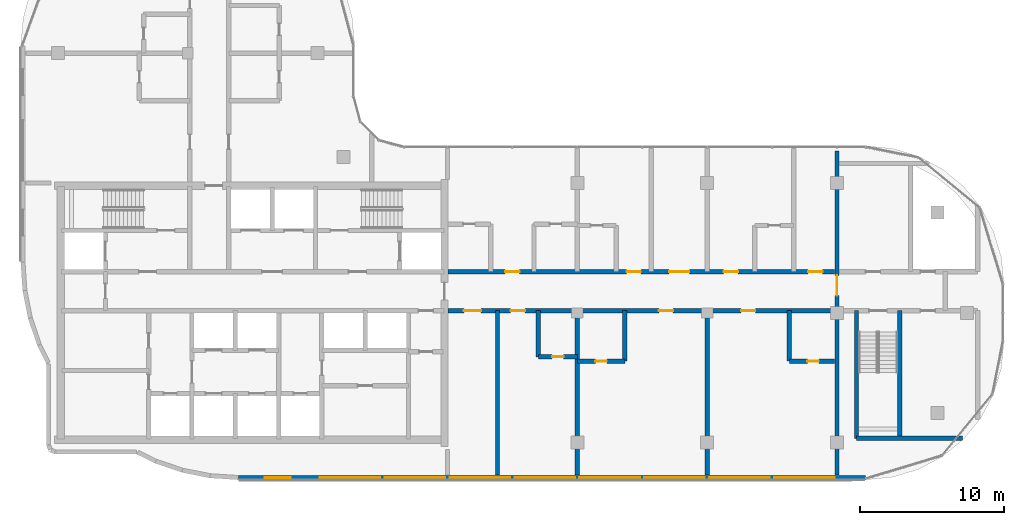
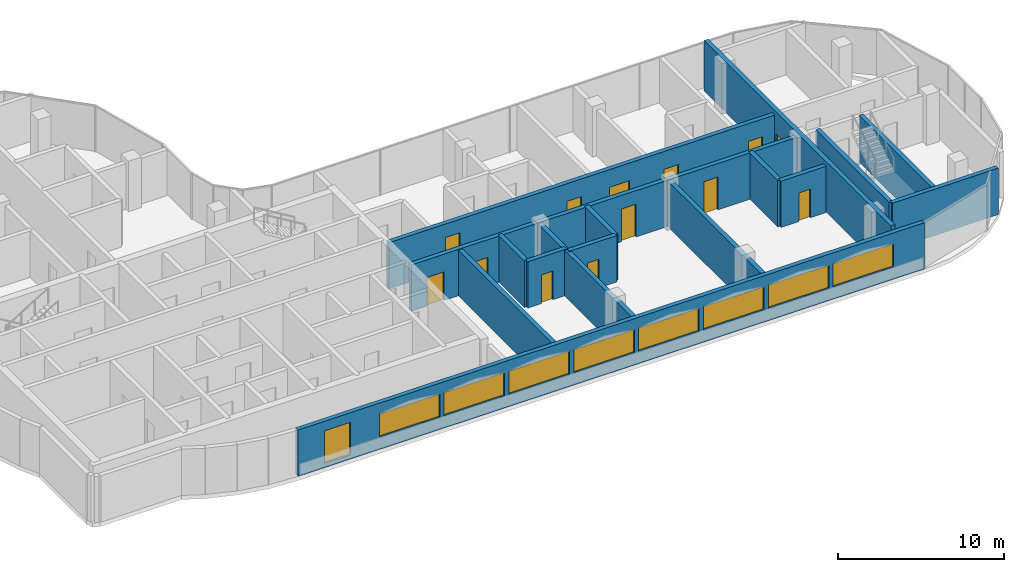
# One storey, part 11 of 18: 16 walls, 13 doors, 9 windows, 22 openings.
"""IFC4 building model written with IfcOpenShell, lengths in metres."""

import ifcopenshell
import ifcopenshell.guid

model = None  # the IFC model being written
_history = None  # IfcOwnerHistory: only IFC2X3 demands one
_inside = {}  # id of a spatial element -> (the spatial element, [elements in it])
_under = {}  # id of a project, library or spatial element -> (it, [spatial elements below it])
_declared = {}  # id of a project -> (the project, [libraries it declares])
_typed = {}  # id of a type object -> (the type object, [elements of that type])
_made_of = {}  # id of a material, layer set ... -> (it, [elements and type objects made of it])


def new_model(schema):
    """Start an empty IFC model of exactly this schema.

    Asked for "IFC4X3", IfcOpenShell would pick the latest addendum, in which some entities
    have other attributes; the version numbers below select the first issue.
    IFC2X3 requires an IfcOwnerHistory on every rooted entity: one is made here for all.
    """
    global model, _history
    if schema == "IFC4X3":
        model = ifcopenshell.file(schema_version=(4, 3, 0, 0))
    else:
        model = ifcopenshell.file(schema=schema)
    _inside.clear()
    _under.clear()
    _declared.clear()
    _typed.clear()
    _made_of.clear()
    _history = None
    if model.schema == "IFC2X3":
        org = make("IfcOrganization", Name="unknown")
        user = make(
            "IfcPersonAndOrganization",
            ThePerson=make("IfcPerson", FamilyName="unknown"),
            TheOrganization=org,
        )
        app = make(
            "IfcApplication",
            ApplicationDeveloper=org,
            Version="unknown",
            ApplicationFullName="unknown",
            ApplicationIdentifier="unknown",
        )
        _history = make(
            "IfcOwnerHistory",
            OwningUser=user,
            OwningApplication=app,
            ChangeAction="ADDED",
            CreationDate=0,
        )
    return model


def make(cls, **values):
    """One entity of the class cls with the attributes given. An attribute that is None is left unset."""
    return model.create_entity(
        cls, **{name: value for name, value in values.items() if value is not None}
    )


def rooted(cls, **values):
    """An entity with a GlobalId (a new one), such as an element, a storey or a relation."""
    return make(cls, GlobalId=ifcopenshell.guid.new(), OwnerHistory=_history, **values)


def si_unit(unit_type, name, prefix=None):
    """IfcSIUnit, for example si_unit("LENGTHUNIT", "METRE", prefix="MILLI")."""
    return make("IfcSIUnit", UnitType=unit_type, Prefix=prefix, Name=name)


def assignment(units):
    """IfcUnitAssignment: the units of a project."""
    return None if units is None else make("IfcUnitAssignment", Units=units)


def point(xyz):
    """IfcCartesianPoint."""
    return None if xyz is None else make("IfcCartesianPoint", Coordinates=xyz)


def direction(xyz):
    """IfcDirection."""
    return None if xyz is None else make("IfcDirection", DirectionRatios=xyz)


def frame(location, z_axis=None, x_axis=None):
    """IfcAxis2Placement3D, a coordinate frame: its origin and axes. An axis left out is left unset."""
    return make(
        "IfcAxis2Placement3D",
        Location=point(location),
        Axis=direction(z_axis),
        RefDirection=direction(x_axis),
    )


def frame_2d(location, x_axis=None):
    """IfcAxis2Placement2D, a coordinate frame in the plane: its origin and x axis."""
    return make(
        "IfcAxis2Placement2D", Location=point(location), RefDirection=direction(x_axis)
    )


def origin():
    """The frame at (0, 0, 0) with its axes left unset."""
    return frame((0.0, 0.0, 0.0))


def place(relative_to, where):
    """IfcLocalPlacement: puts the frame where relative to a parent placement (None: the world)."""
    return make(
        "IfcLocalPlacement", PlacementRelTo=relative_to, RelativePlacement=where
    )


def context(
    kind, dimensions, precision=None, world=None, true_north=None, identifier=None
):
    """IfcGeometricRepresentationContext, for example the 3D "Model" context."""
    return make(
        "IfcGeometricRepresentationContext",
        ContextIdentifier=identifier,
        ContextType=kind,
        CoordinateSpaceDimension=dimensions,
        Precision=precision,
        WorldCoordinateSystem=world,
        TrueNorth=true_north,
    )


def subcontext(parent, identifier, kind, view, scale=None):
    """IfcGeometricRepresentationSubContext, for example "Body" below "Model"."""
    return make(
        "IfcGeometricRepresentationSubContext",
        ContextIdentifier=identifier,
        ContextType=kind,
        ParentContext=parent,
        TargetScale=scale,
        TargetView=view,
    )


def project(units=None, contexts=None):
    """IfcProject with its units and contexts."""
    return rooted(
        "IfcProject",
        Name="project",
        RepresentationContexts=contexts,
        UnitsInContext=assignment(units),
    )


def spatial(cls, under=None, at=None, **own):
    """A site, building, storey or space (cls), placed at a placement, below another one or the project."""
    s = rooted(cls, ObjectPlacement=at, **own)
    if under is not None:
        _under.setdefault(under.id(), (under, []))[1].append(s)
    return s


def profile(cls, at=None, kind="AREA", **sizes):
    """A parametric profile (cls). Its sizes go by their IFC names, for example OverallWidth=200.0."""
    return make(cls, ProfileType=kind, Position=at, **sizes)


def rectangle(**sizes):
    """IfcRectangleProfileDef."""
    return profile("IfcRectangleProfileDef", **sizes)


def extrude(swept, where, along, depth):
    """IfcExtrudedAreaSolid: the profile swept, set in the frame where, extruded along a direction by depth."""
    return make(
        "IfcExtrudedAreaSolid",
        SweptArea=swept,
        Position=where,
        ExtrudedDirection=direction(along),
        Depth=depth,
    )


def shape(context_of_items, identifier, shape_type, items):
    """IfcShapeRepresentation: the items that make up one representation, for example the "Body"."""
    return make(
        "IfcShapeRepresentation",
        ContextOfItems=context_of_items,
        RepresentationIdentifier=identifier,
        RepresentationType=shape_type,
        Items=items,
    )


def material(Name=None, Category=None):
    """IfcMaterial."""
    return make("IfcMaterial", Name=Name, Category=Category)


def layer(
    of_material, thickness, ventilated=None, Name=None, Category=None, Priority=None
):
    """IfcMaterialLayer: one layer of a wall or slab, of a material (None: an air gap)."""
    return make(
        "IfcMaterialLayer",
        Material=of_material,
        LayerThickness=thickness,
        IsVentilated=ventilated,
        Name=Name,
        Category=Category,
        Priority=Priority,
    )


def layer_set(layers, Name=None):
    """IfcMaterialLayerSet."""
    return make("IfcMaterialLayerSet", MaterialLayers=layers, LayerSetName=Name)


def made_of(thing, what):
    """Note that an element or type object is made of a material, layer set ...; save() writes the relation."""
    if what is not None:
        _made_of.setdefault(what.id(), (what, []))[1].append(thing)
    return thing


def type_object(cls, material=None, **own):
    """A type object (cls), such as IfcWallType, which elements share."""
    return made_of(rooted(cls, **own), material)


def element(
    cls,
    number,
    at=None,
    inside=None,
    cuts=None,
    type_object=None,
    material=None,
    context=None,
    identifier="Body",
    shape_type=None,
    held_by="IfcProductDefinitionShape",
    body=None,
    shapes=None,
    **own,
):
    """One element of the class cls, such as IfcWall. Its Tag is "e" and its number.

    at: its placement. inside: the storey or other place that contains it. cuts: it is an
    opening in that element (IfcRelVoidsElement). A single representation is given by context,
    identifier, shape_type and body (its items); several are given by shapes. held_by: the class
    of the entity that holds the representations. save() writes the other relations.
    """
    e = rooted(cls, Tag="e%d" % number, ObjectPlacement=at, **own)
    if body is not None:
        shapes = [shape(context, identifier, shape_type, body)]
    if shapes is not None:
        e.Representation = make(held_by, Representations=shapes)
    if inside is not None:
        _inside.setdefault(inside.id(), (inside, []))[1].append(e)
    if cuts is not None:
        rooted(
            "IfcRelVoidsElement", RelatingBuildingElement=cuts, RelatedOpeningElement=e
        )
    if type_object is not None:
        _typed.setdefault(type_object.id(), (type_object, []))[1].append(e)
    return made_of(e, material)


def fill(opening, filler):
    """IfcRelFillsElement: the door or window that sits in an opening."""
    return rooted(
        "IfcRelFillsElement",
        RelatingOpeningElement=opening,
        RelatedBuildingElement=filler,
    )


def aggregate(whole, parts):
    """IfcRelAggregates: a whole, such as a stair, and the parts it consists of."""
    return rooted("IfcRelAggregates", RelatingObject=whole, RelatedObjects=parts)


def save(model, path):
    """Write the relations noted so far, then the file.

    IfcRelAggregates (storeys below a building ...), IfcRelContainedInSpatialStructure (elements
    in a storey), IfcRelDefinesByType, IfcRelAssociatesMaterial and IfcRelDeclares: one each for
    every whole, place, type object, material and project.
    """
    for whole, parts in _under.values():
        aggregate(whole, parts)
    for where, things in _inside.values():
        rooted(
            "IfcRelContainedInSpatialStructure",
            RelatedElements=things,
            RelatingStructure=where,
        )
    for kind, things in _typed.values():
        rooted("IfcRelDefinesByType", RelatedObjects=things, RelatingType=kind)
    for what, things in _made_of.values():
        rooted("IfcRelAssociatesMaterial", RelatedObjects=things, RelatingMaterial=what)
    for by, libraries in _declared.values():
        rooted("IfcRelDeclares", RelatingContext=by, RelatedDefinitions=libraries)
    model.write(path)


model = new_model("IFC4")

# Units and contexts
model_context = context("Model", 3, precision=1e-05, world=origin(), true_north=direction((0.0, 1.0)))
body_context = subcontext(model_context, "Body", "Model", "MODEL_VIEW")
ifc_project = project(units=[si_unit("LENGTHUNIT", "METRE"), si_unit("AREAUNIT", "SQUARE_METRE"), si_unit("VOLUMEUNIT", "CUBIC_METRE"), si_unit("PLANEANGLEUNIT", "RADIAN"), si_unit("MASSUNIT", "GRAM", prefix="KILO")], contexts=[model_context])

# Site, building, storey
site_placement = place(None, origin())
site = spatial("IfcSite", under=ifc_project, at=site_placement, CompositionType="ELEMENT")
building_placement = place(site_placement, origin())
building = spatial("IfcBuilding", under=site, at=building_placement, Name="Ogive Portal Towers", CompositionType="ELEMENT")
storey_placement = place(building_placement, frame((0.0, 0.0, 240.199951171875)))
storey = spatial("IfcBuildingStorey", under=building, at=storey_placement, Name="L60", CompositionType="ELEMENT", Elevation=240.199951171875)

# Wall, openings, windows
ifc_material_1 = material(Name="Limestone cladding on lightweight block wall", Category="masonry")
ifc_layer_1 = layer(ifc_material_1, 0.300048828125)
ifc_layer_set_1 = layer_set([ifc_layer_1], Name="EXTERNAL WALL 300 STONE")
wall_type_1 = type_object("IfcWallType", Name="EXTERNAL WALL 300 STONE", PredefinedType="SOLIDWALL", material=ifc_layer_set_1)
wall_1_placement = place(storey_placement, frame((44.009765625, 19.074951171875, 0.0), z_axis=(0.0, 0.0, 1.0), x_axis=(1.0, 0.0, 0.0)))
wall_1 = element("IfcWall", 1, at=wall_1_placement, inside=storey, type_object=wall_type_1, Name="A:L60:f08:r0:wall", PredefinedType="SOLIDWALL", context=body_context, shape_type="SweptSolid", body=[
    extrude(rectangle(XDim=43.478271484375, YDim=0.300048828125, at=frame_2d((21.7392578125, 0.0))), origin(), (0.0, 0.0, 1.0), 3.400146484375),
])
opening_1_placement = place(wall_1_placement, frame((1.844970703125, 0.0, 0.300048828125)))
opening_1 = element("IfcOpeningElement", 2, at=opening_1_placement, cuts=wall_1, Name="Opening WN10", PredefinedType="OPENING", context=body_context, shape_type="SweptSolid", body=[
    extrude(rectangle(XDim=1.800048828125, YDim=2.39990234375, at=frame_2d((0.89990234375, 1.199951171875))), frame((0.0, 0.16015625, 0.0), z_axis=(0.0, -1.0, 0.0), x_axis=(1.0, 0.0, 0.0)), (0.0, 0.0, 1.0), 0.320068359375),
])
opening_2_placement = place(wall_1_placement, frame((5.64013671875, 0.0, 0.89990234375)))
opening_2 = element("IfcOpeningElement", 3, at=opening_2_placement, cuts=wall_1, Name="Opening WN13", PredefinedType="OPENING", context=body_context, shape_type="SweptSolid", body=[
    extrude(rectangle(XDim=4.199951171875, YDim=1.699951171875, at=frame_2d((2.10009765625, 0.85009765625))), frame((0.0, 0.16015625, 0.0), z_axis=(0.0, -1.0, 0.0), x_axis=(1.0, 0.0, 0.0)), (0.0, 0.0, 1.0), 0.320068359375),
])
opening_3_placement = place(wall_1_placement, frame((10.14013671875, 0.0, 0.89990234375)))
opening_3 = element("IfcOpeningElement", 4, at=opening_3_placement, cuts=wall_1, Name="Opening WN13", PredefinedType="OPENING", context=body_context, shape_type="SweptSolid", body=[
    extrude(rectangle(XDim=4.199951171875, YDim=1.699951171875, at=frame_2d((2.10009765625, 0.85009765625))), frame((0.0, 0.16015625, 0.0), z_axis=(0.0, -1.0, 0.0), x_axis=(1.0, 0.0, 0.0)), (0.0, 0.0, 1.0), 0.320068359375),
])
opening_4_placement = place(wall_1_placement, frame((14.64013671875, 0.0, 0.89990234375)))
opening_4 = element("IfcOpeningElement", 5, at=opening_4_placement, cuts=wall_1, Name="Opening WN13", PredefinedType="OPENING", context=body_context, shape_type="SweptSolid", body=[
    extrude(rectangle(XDim=4.199951171875, YDim=1.699951171875, at=frame_2d((2.10009765625, 0.85009765625))), frame((0.0, 0.16015625, 0.0), z_axis=(0.0, -1.0, 0.0), x_axis=(1.0, 0.0, 0.0)), (0.0, 0.0, 1.0), 0.320068359375),
])
opening_5_placement = place(wall_1_placement, frame((19.14013671875, 0.0, 0.89990234375)))
opening_5 = element("IfcOpeningElement", 6, at=opening_5_placement, cuts=wall_1, Name="Opening WN13", PredefinedType="OPENING", context=body_context, shape_type="SweptSolid", body=[
    extrude(rectangle(XDim=4.199951171875, YDim=1.699951171875, at=frame_2d((2.10009765625, 0.85009765625))), frame((0.0, 0.16015625, 0.0), z_axis=(0.0, -1.0, 0.0), x_axis=(1.0, 0.0, 0.0)), (0.0, 0.0, 1.0), 0.320068359375),
])
opening_6_placement = place(wall_1_placement, frame((23.64013671875, 0.0, 0.89990234375)))
opening_6 = element("IfcOpeningElement", 7, at=opening_6_placement, cuts=wall_1, Name="Opening WN13", PredefinedType="OPENING", context=body_context, shape_type="SweptSolid", body=[
    extrude(rectangle(XDim=4.199951171875, YDim=1.699951171875, at=frame_2d((2.10009765625, 0.85009765625))), frame((0.0, 0.16015625, 0.0), z_axis=(0.0, -1.0, 0.0), x_axis=(1.0, 0.0, 0.0)), (0.0, 0.0, 1.0), 0.320068359375),
])
opening_7_placement = place(wall_1_placement, frame((28.14013671875, 0.0, 0.89990234375)))
opening_7 = element("IfcOpeningElement", 8, at=opening_7_placement, cuts=wall_1, Name="Opening WN13", PredefinedType="OPENING", context=body_context, shape_type="SweptSolid", body=[
    extrude(rectangle(XDim=4.199951171875, YDim=1.699951171875, at=frame_2d((2.10009765625, 0.85009765625))), frame((0.0, 0.16015625, 0.0), z_axis=(0.0, -1.0, 0.0), x_axis=(1.0, 0.0, 0.0)), (0.0, 0.0, 1.0), 0.320068359375),
])
opening_8_placement = place(wall_1_placement, frame((32.64013671875, 0.0, 0.89990234375)))
opening_8 = element("IfcOpeningElement", 9, at=opening_8_placement, cuts=wall_1, Name="Opening WN13", PredefinedType="OPENING", context=body_context, shape_type="SweptSolid", body=[
    extrude(rectangle(XDim=4.199951171875, YDim=1.699951171875, at=frame_2d((2.10009765625, 0.85009765625))), frame((0.0, 0.16015625, 0.0), z_axis=(0.0, -1.0, 0.0), x_axis=(1.0, 0.0, 0.0)), (0.0, 0.0, 1.0), 0.320068359375),
])
opening_9_placement = place(wall_1_placement, frame((37.14013671875, 0.0, 0.89990234375)))
opening_9 = element("IfcOpeningElement", 10, at=opening_9_placement, cuts=wall_1, Name="Opening WN13", PredefinedType="OPENING", context=body_context, shape_type="SweptSolid", body=[
    extrude(rectangle(XDim=4.199951171875, YDim=1.699951171875, at=frame_2d((2.10009765625, 0.85009765625))), frame((0.0, 0.16015625, 0.0), z_axis=(0.0, -1.0, 0.0), x_axis=(1.0, 0.0, 0.0)), (0.0, 0.0, 1.0), 0.320068359375),
])
ifc_material_2 = material(Name="Glass, clear low-iron insulated glazing", Category="glass")
window_type_1 = type_object("IfcWindowType", Name="WINDOW RIBBON LANCET 4200x1700", PartitioningType="TRIPLE_PANEL_VERTICAL", PredefinedType="WINDOW", material=ifc_material_2)
window_1_placement = place(opening_2_placement, origin())
window_1 = element("IfcWindow", 11, at=window_1_placement, inside=storey, type_object=window_type_1, Name="A:L60:f08:r0:w1", OverallHeight=1.699951171875, OverallWidth=4.199951171875, PartitioningType="SINGLE_PANEL", PredefinedType="WINDOW", context=body_context, shape_type="SweptSolid", body=[
    extrude(rectangle(XDim=4.199951171875, YDim=1.699951171875, at=frame_2d((2.10009765625, 0.85009765625))), frame((0.0, 0.030029296875, 0.0), z_axis=(0.0, -1.0, 0.0), x_axis=(1.0, 0.0, 0.0)), (0.0, 0.0, 1.0), 0.06005859375),
])
fill(opening_2, window_1)
window_2_placement = place(opening_3_placement, origin())
window_2 = element("IfcWindow", 12, at=window_2_placement, inside=storey, type_object=window_type_1, Name="A:L60:f08:r0:w2", OverallHeight=1.699951171875, OverallWidth=4.199951171875, PartitioningType="SINGLE_PANEL", PredefinedType="WINDOW", context=body_context, shape_type="SweptSolid", body=[
    extrude(rectangle(XDim=4.199951171875, YDim=1.699951171875, at=frame_2d((2.10009765625, 0.85009765625))), frame((0.0, 0.030029296875, 0.0), z_axis=(0.0, -1.0, 0.0), x_axis=(1.0, 0.0, 0.0)), (0.0, 0.0, 1.0), 0.06005859375),
])
fill(opening_3, window_2)
window_3_placement = place(opening_4_placement, origin())
window_3 = element("IfcWindow", 13, at=window_3_placement, inside=storey, type_object=window_type_1, Name="A:L60:f08:r0:w3", OverallHeight=1.699951171875, OverallWidth=4.199951171875, PartitioningType="SINGLE_PANEL", PredefinedType="WINDOW", context=body_context, shape_type="SweptSolid", body=[
    extrude(rectangle(XDim=4.199951171875, YDim=1.699951171875, at=frame_2d((2.10009765625, 0.85009765625))), frame((0.0, 0.030029296875, 0.0), z_axis=(0.0, -1.0, 0.0), x_axis=(1.0, 0.0, 0.0)), (0.0, 0.0, 1.0), 0.06005859375),
])
fill(opening_4, window_3)
window_4_placement = place(opening_5_placement, origin())
window_4 = element("IfcWindow", 14, at=window_4_placement, inside=storey, type_object=window_type_1, Name="A:L60:f08:r0:w4", OverallHeight=1.699951171875, OverallWidth=4.199951171875, PartitioningType="SINGLE_PANEL", PredefinedType="WINDOW", context=body_context, shape_type="SweptSolid", body=[
    extrude(rectangle(XDim=4.199951171875, YDim=1.699951171875, at=frame_2d((2.10009765625, 0.85009765625))), frame((0.0, 0.030029296875, 0.0), z_axis=(0.0, -1.0, 0.0), x_axis=(1.0, 0.0, 0.0)), (0.0, 0.0, 1.0), 0.06005859375),
])
fill(opening_5, window_4)
window_5_placement = place(opening_6_placement, origin())
window_5 = element("IfcWindow", 15, at=window_5_placement, inside=storey, type_object=window_type_1, Name="A:L60:f08:r0:w5", OverallHeight=1.699951171875, OverallWidth=4.199951171875, PartitioningType="SINGLE_PANEL", PredefinedType="WINDOW", context=body_context, shape_type="SweptSolid", body=[
    extrude(rectangle(XDim=4.199951171875, YDim=1.699951171875, at=frame_2d((2.10009765625, 0.85009765625))), frame((0.0, 0.030029296875, 0.0), z_axis=(0.0, -1.0, 0.0), x_axis=(1.0, 0.0, 0.0)), (0.0, 0.0, 1.0), 0.06005859375),
])
fill(opening_6, window_5)
window_6_placement = place(opening_7_placement, origin())
window_6 = element("IfcWindow", 16, at=window_6_placement, inside=storey, type_object=window_type_1, Name="A:L60:f08:r0:w6", OverallHeight=1.699951171875, OverallWidth=4.199951171875, PartitioningType="SINGLE_PANEL", PredefinedType="WINDOW", context=body_context, shape_type="SweptSolid", body=[
    extrude(rectangle(XDim=4.199951171875, YDim=1.699951171875, at=frame_2d((2.10009765625, 0.85009765625))), frame((0.0, 0.030029296875, 0.0), z_axis=(0.0, -1.0, 0.0), x_axis=(1.0, 0.0, 0.0)), (0.0, 0.0, 1.0), 0.06005859375),
])
fill(opening_7, window_6)
window_7_placement = place(opening_8_placement, origin())
window_7 = element("IfcWindow", 17, at=window_7_placement, inside=storey, type_object=window_type_1, Name="A:L60:f08:r0:w7", OverallHeight=1.699951171875, OverallWidth=4.199951171875, PartitioningType="SINGLE_PANEL", PredefinedType="WINDOW", context=body_context, shape_type="SweptSolid", body=[
    extrude(rectangle(XDim=4.199951171875, YDim=1.699951171875, at=frame_2d((2.10009765625, 0.85009765625))), frame((0.0, 0.030029296875, 0.0), z_axis=(0.0, -1.0, 0.0), x_axis=(1.0, 0.0, 0.0)), (0.0, 0.0, 1.0), 0.06005859375),
])
fill(opening_8, window_7)
window_8_placement = place(opening_9_placement, origin())
window_8 = element("IfcWindow", 18, at=window_8_placement, inside=storey, type_object=window_type_1, Name="A:L60:f08:r0:w8", OverallHeight=1.699951171875, OverallWidth=4.199951171875, PartitioningType="SINGLE_PANEL", PredefinedType="WINDOW", context=body_context, shape_type="SweptSolid", body=[
    extrude(rectangle(XDim=4.199951171875, YDim=1.699951171875, at=frame_2d((2.10009765625, 0.85009765625))), frame((0.0, 0.030029296875, 0.0), z_axis=(0.0, -1.0, 0.0), x_axis=(1.0, 0.0, 0.0)), (0.0, 0.0, 1.0), 0.06005859375),
])
fill(opening_9, window_8)
window_type_2 = type_object("IfcWindowType", Name="WINDOW SUITE CORNER 1800x2400", PartitioningType="DOUBLE_PANEL_VERTICAL", PredefinedType="WINDOW", material=ifc_material_2)
window_9_placement = place(opening_1_placement, origin())
window_9 = element("IfcWindow", 19, at=window_9_placement, inside=storey, type_object=window_type_2, Name="A:L60:f08:r0:w0", OverallHeight=2.39990234375, OverallWidth=1.800048828125, PartitioningType="SINGLE_PANEL", PredefinedType="WINDOW", context=body_context, shape_type="SweptSolid", body=[
    extrude(rectangle(XDim=1.800048828125, YDim=2.39990234375, at=frame_2d((0.89990234375, 1.199951171875))), frame((0.0, 0.030029296875, 0.0), z_axis=(0.0, -1.0, 0.0), x_axis=(1.0, 0.0, 0.0)), (0.0, 0.0, 1.0), 0.06005859375),
])
fill(opening_1, window_9)

# Wall, opening, door
ifc_material_3 = material(Name="Concrete C60/75", Category="concrete")
ifc_layer_2 = layer(ifc_material_3, 0.300048828125)
ifc_layer_set_2 = layer_set([ifc_layer_2], Name="REVEAL WALL 300 C60")
wall_type_2 = type_object("IfcWallType", Name="REVEAL WALL 300 C60", PredefinedType="SHEAR", material=ifc_layer_set_2)
wall_2_placement = place(storey_placement, frame((85.5, 19.27490234375, 0.0), z_axis=(0.0, 0.0, 1.0), x_axis=(0.0, 1.0, 0.0)))
wall_2 = element("IfcWall", 20, at=wall_2_placement, inside=storey, type_object=wall_type_2, Name="Portal reveal wall L60", PredefinedType="SHEAR", context=body_context, shape_type="SweptSolid", body=[
    extrude(rectangle(XDim=22.4501953125, YDim=0.300048828125, at=frame_2d((11.22509765625, 0.0))), origin(), (0.0, 0.0, 1.0), 3.699951171875),
])
opening_10_placement = place(wall_2_placement, frame((12.425048828125, 0.0, 0.0)))
opening_10 = element("IfcOpeningElement", 21, at=opening_10_placement, cuts=wall_2, Name="Opening D26-056", PredefinedType="OPENING", context=body_context, shape_type="SweptSolid", body=[
    extrude(rectangle(XDim=1.39990234375, YDim=2.10009765625, at=frame_2d((0.699951171875, 1.050048828125))), frame((0.0, 0.16015625, 0.0), z_axis=(0.0, -1.0, 0.0), x_axis=(1.0, 0.0, 0.0)), (0.0, 0.0, 1.0), 0.320068359375),
])
ifc_material_4 = material(Name="Steel fire door", Category="steel")
door_type_1 = type_object("IfcDoorType", Name="DT-STAIR-1400x2100-FD90S", OperationType="SINGLE_SWING_LEFT", PredefinedType="DOOR", material=ifc_material_4)
door_1_placement = place(opening_10_placement, origin())
door_1 = element("IfcDoor", 22, at=door_1_placement, inside=storey, type_object=door_type_1, Name="Door D26-056", OperationType="SINGLE_SWING_RIGHT", OverallHeight=2.10009765625, OverallWidth=1.39990234375, PredefinedType="DOOR", context=body_context, shape_type="SweptSolid", body=[
    extrude(rectangle(XDim=1.39990234375, YDim=2.10009765625, at=frame_2d((0.699951171875, 1.050048828125))), frame((0.0, 0.02490234375, 0.0), z_axis=(0.0, -1.0, 0.0), x_axis=(1.0, 0.0, 0.0)), (0.0, 0.0, 1.0), 0.050048828125),
])
fill(opening_10, door_1)

# Walls
ifc_material_5 = material(Name="Concrete C50/60", Category="concrete")
ifc_layer_3 = layer(ifc_material_5, 0.300048828125)
ifc_layer_set_3 = layer_set([ifc_layer_3], Name="STAIR WALL 300 C50")
wall_type_3 = type_object("IfcWallType", Name="STAIR WALL 300 C50", PredefinedType="SHEAR", material=ifc_layer_set_3)
wall_3_placement = place(storey_placement, frame((86.85009765625, 21.800048828125, 0.0), z_axis=(0.0, 0.0, 1.0), x_axis=(1.0, 0.0, 0.0)))
element("IfcWall", 23, at=wall_3_placement, inside=storey, type_object=wall_type_3, Name="Stair wall ST-A4 L60", PredefinedType="SHEAR", context=body_context, shape_type="SweptSolid", body=[
    extrude(rectangle(XDim=7.3388671875, YDim=0.300048828125, at=frame_2d((3.66943359375, 0.0))), origin(), (0.0, 0.0, 1.0), 3.400146484375),
])
for number, where, z_axis, x_axis, name in (
    (24, (86.85009765625, 21.800048828125, 0.0), (0.0, 0.0, 1.0), (0.0, 1.0, 0.0), "Stair wall ST-A4 L60"),
    (25, (89.85009765625, 21.800048828125, 0.0), (0.0, 0.0, 1.0), (0.0, 1.0, 0.0), "Stair wall ST-A4 L60"),
):
    element("IfcWall", number, at=place(storey_placement, frame(where, z_axis=z_axis, x_axis=x_axis)), inside=storey, type_object=wall_type_3, Name=name, PredefinedType="SHEAR", context=body_context, shape_type="SweptSolid", body=[
        extrude(rectangle(XDim=8.849853515625, YDim=0.300048828125, at=frame_2d((4.4248046875, 0.0))), origin(), (0.0, 0.0, 1.0), 3.400146484375),
    ])

# Wall, openings, doors
ifc_material_6 = material(Name="Gypsum board partition on steel studs", Category="steel")
ifc_layer_4 = layer(ifc_material_6, 0.300048828125)
ifc_layer_set_4 = layer_set([ifc_layer_4], Name="WT-PART-300-EI 120")
wall_type_4 = type_object("IfcWallType", Name="WT-PART-300-EI 120", PredefinedType="PARTITIONING", material=ifc_layer_set_4)
wall_4_placement = place(storey_placement, frame((58.550048828125, 30.64990234375, 0.0), z_axis=(0.0, 0.0, 1.0), x_axis=(1.0, 0.0, 0.0)))
wall_4 = element("IfcWall", 26, at=wall_4_placement, inside=storey, type_object=wall_type_4, Name="Wall L60:w005", PredefinedType="PARTITIONING", context=body_context, shape_type="SweptSolid", body=[
    extrude(rectangle(XDim=26.780029296875, YDim=0.300048828125, at=frame_2d((13.39013671875, 0.0))), origin(), (0.0, 0.0, 1.0), 3.400146484375),
])
opening_11_placement = place(wall_4_placement, frame((1.0849609375, 0.0, 0.0)))
opening_11 = element("IfcOpeningElement", 27, at=opening_11_placement, cuts=wall_4, Name="Opening D26-029", PredefinedType="OPENING", context=body_context, shape_type="SweptSolid", body=[
    extrude(rectangle(XDim=1.199951171875, YDim=2.10009765625, at=frame_2d((0.60009765625, 1.050048828125))), frame((0.0, 0.16015625, 0.0), z_axis=(0.0, -1.0, 0.0), x_axis=(1.0, 0.0, 0.0)), (0.0, 0.0, 1.0), 0.320068359375),
])
opening_12_placement = place(wall_4_placement, frame((4.3349609375, 0.0, 0.0)))
opening_12 = element("IfcOpeningElement", 28, at=opening_12_placement, cuts=wall_4, Name="Opening D26-031", PredefinedType="OPENING", context=body_context, shape_type="SweptSolid", body=[
    extrude(rectangle(XDim=1.0, YDim=2.10009765625, at=frame_2d((0.5, 1.050048828125))), frame((0.0, 0.16015625, 0.0), z_axis=(0.0, -1.0, 0.0), x_axis=(1.0, 0.0, 0.0)), (0.0, 0.0, 1.0), 0.320068359375),
])
opening_13_placement = place(wall_4_placement, frame((14.60009765625, 0.0, 0.0)))
opening_13 = element("IfcOpeningElement", 29, at=opening_13_placement, cuts=wall_4, Name="Opening D26-036", PredefinedType="OPENING", context=body_context, shape_type="SweptSolid", body=[
    extrude(rectangle(XDim=1.0, YDim=2.39990234375, at=frame_2d((0.5, 1.199951171875))), frame((0.0, 0.16015625, 0.0), z_axis=(0.0, -1.0, 0.0), x_axis=(1.0, 0.0, 0.0)), (0.0, 0.0, 1.0), 0.320068359375),
])
opening_14_placement = place(wall_4_placement, frame((20.300048828125, 0.0, 0.0)))
opening_14 = element("IfcOpeningElement", 30, at=opening_14_placement, cuts=wall_4, Name="Opening D26-041", PredefinedType="OPENING", context=body_context, shape_type="SweptSolid", body=[
    extrude(rectangle(XDim=1.0, YDim=2.39990234375, at=frame_2d((0.5, 1.199951171875))), frame((0.0, 0.16015625, 0.0), z_axis=(0.0, -1.0, 0.0), x_axis=(1.0, 0.0, 0.0)), (0.0, 0.0, 1.0), 0.320068359375),
])
door_type_2 = type_object("IfcDoorType", Name="DT-ENTRY-1000x2100-FD90S", OperationType="SINGLE_SWING_LEFT", PredefinedType="DOOR", material=ifc_material_4)
door_2_placement = place(opening_12_placement, origin())
door_2 = element("IfcDoor", 31, at=door_2_placement, inside=storey, type_object=door_type_2, Name="Door D26-031", OperationType="SINGLE_SWING_LEFT", OverallHeight=2.10009765625, OverallWidth=1.0, PredefinedType="DOOR", context=body_context, shape_type="SweptSolid", body=[
    extrude(rectangle(XDim=1.0, YDim=2.10009765625, at=frame_2d((0.5, 1.050048828125))), frame((0.0, 0.02490234375, 0.0), z_axis=(0.0, -1.0, 0.0), x_axis=(1.0, 0.0, 0.0)), (0.0, 0.0, 1.0), 0.050048828125),
])
fill(opening_12, door_2)
door_type_3 = type_object("IfcDoorType", Name="DT-ENTRY-1000x2400-FD90S", OperationType="SINGLE_SWING_LEFT", PredefinedType="DOOR", material=ifc_material_4)
door_3_placement = place(opening_13_placement, origin())
door_3 = element("IfcDoor", 32, at=door_3_placement, inside=storey, type_object=door_type_3, Name="Door D26-036", OperationType="SINGLE_SWING_LEFT", OverallHeight=2.39990234375, OverallWidth=1.0, PredefinedType="DOOR", context=body_context, shape_type="SweptSolid", body=[
    extrude(rectangle(XDim=1.0, YDim=2.39990234375, at=frame_2d((0.5, 1.199951171875))), frame((0.0, 0.02490234375, 0.0), z_axis=(0.0, -1.0, 0.0), x_axis=(1.0, 0.0, 0.0)), (0.0, 0.0, 1.0), 0.050048828125),
])
fill(opening_13, door_3)
door_4_placement = place(opening_14_placement, origin())
door_4 = element("IfcDoor", 33, at=door_4_placement, inside=storey, type_object=door_type_3, Name="Door D26-041", OperationType="SINGLE_SWING_RIGHT", OverallHeight=2.39990234375, OverallWidth=1.0, PredefinedType="DOOR", context=body_context, shape_type="SweptSolid", body=[
    extrude(rectangle(XDim=1.0, YDim=2.39990234375, at=frame_2d((0.5, 1.199951171875))), frame((0.0, 0.02490234375, 0.0), z_axis=(0.0, -1.0, 0.0), x_axis=(1.0, 0.0, 0.0)), (0.0, 0.0, 1.0), 0.050048828125),
])
fill(opening_14, door_4)
door_type_4 = type_object("IfcDoorType", Name="DT-ENTRY-1200x2100-FD90S", OperationType="SINGLE_SWING_LEFT", PredefinedType="DOOR", material=ifc_material_4)
door_5_placement = place(opening_11_placement, origin())
door_5 = element("IfcDoor", 34, at=door_5_placement, inside=storey, type_object=door_type_4, Name="Door D26-029", OperationType="SINGLE_SWING_LEFT", OverallHeight=2.10009765625, OverallWidth=1.199951171875, PredefinedType="DOOR", context=body_context, shape_type="SweptSolid", body=[
    extrude(rectangle(XDim=1.199951171875, YDim=2.10009765625, at=frame_2d((0.60009765625, 1.050048828125))), frame((0.0, 0.02490234375, 0.0), z_axis=(0.0, -1.0, 0.0), x_axis=(1.0, 0.0, 0.0)), (0.0, 0.0, 1.0), 0.050048828125),
])
fill(opening_11, door_5)

wall_5_placement = place(storey_placement, frame((58.550048828125, 33.35009765625, 0.0), z_axis=(0.0, 0.0, 1.0), x_axis=(1.0, 0.0, 0.0)))
wall_5 = element("IfcWall", 35, at=wall_5_placement, inside=storey, type_object=wall_type_4, Name="Wall L60:w007", PredefinedType="PARTITIONING", context=body_context, shape_type="SweptSolid", body=[
    extrude(rectangle(XDim=26.780029296875, YDim=0.300048828125, at=frame_2d((13.39013671875, 0.0))), origin(), (0.0, 0.0, 1.0), 3.400146484375),
])
opening_15_placement = place(wall_5_placement, frame((3.949951171875, 0.0, 0.0)))
opening_15 = element("IfcOpeningElement", 36, at=opening_15_placement, cuts=wall_5, Name="Opening D26-028", PredefinedType="OPENING", context=body_context, shape_type="SweptSolid", body=[
    extrude(rectangle(XDim=1.0, YDim=2.39990234375, at=frame_2d((0.5, 1.199951171875))), frame((0.0, 0.16015625, 0.0), z_axis=(0.0, -1.0, 0.0), x_axis=(1.0, 0.0, 0.0)), (0.0, 0.0, 1.0), 0.320068359375),
])
opening_16_placement = place(wall_5_placement, frame((12.364990234375, 0.0, 0.0)))
opening_16 = element("IfcOpeningElement", 37, at=opening_16_placement, cuts=wall_5, Name="Opening D26-033", PredefinedType="OPENING", context=body_context, shape_type="SweptSolid", body=[
    extrude(rectangle(XDim=1.0, YDim=2.10009765625, at=frame_2d((0.5, 1.050048828125))), frame((0.0, 0.16015625, 0.0), z_axis=(0.0, -1.0, 0.0), x_axis=(1.0, 0.0, 0.0)), (0.0, 0.0, 1.0), 0.320068359375),
])
opening_17_placement = place(wall_5_placement, frame((15.31494140625, 0.0, 0.0)))
opening_17 = element("IfcOpeningElement", 38, at=opening_17_placement, cuts=wall_5, Name="Opening D26-034", PredefinedType="OPENING", context=body_context, shape_type="SweptSolid", body=[
    extrude(rectangle(XDim=1.39990234375, YDim=2.10009765625, at=frame_2d((0.699951171875, 1.050048828125))), frame((0.0, 0.16015625, 0.0), z_axis=(0.0, -1.0, 0.0), x_axis=(1.0, 0.0, 0.0)), (0.0, 0.0, 1.0), 0.320068359375),
])
opening_18_placement = place(wall_5_placement, frame((19.10009765625, 0.0, 0.0)))
opening_18 = element("IfcOpeningElement", 39, at=opening_18_placement, cuts=wall_5, Name="Opening D26-038", PredefinedType="OPENING", context=body_context, shape_type="SweptSolid", body=[
    extrude(rectangle(XDim=1.0, YDim=2.10009765625, at=frame_2d((0.5, 1.050048828125))), frame((0.0, 0.16015625, 0.0), z_axis=(0.0, -1.0, 0.0), x_axis=(1.0, 0.0, 0.0)), (0.0, 0.0, 1.0), 0.320068359375),
])
opening_19_placement = place(wall_5_placement, frame((24.949951171875, 0.0, 0.0)))
opening_19 = element("IfcOpeningElement", 40, at=opening_19_placement, cuts=wall_5, Name="Opening D26-039", PredefinedType="OPENING", context=body_context, shape_type="SweptSolid", body=[
    extrude(rectangle(XDim=1.0, YDim=2.10009765625, at=frame_2d((0.5, 1.050048828125))), frame((0.0, 0.16015625, 0.0), z_axis=(0.0, -1.0, 0.0), x_axis=(1.0, 0.0, 0.0)), (0.0, 0.0, 1.0), 0.320068359375),
])
door_6_placement = place(opening_16_placement, origin())
door_6 = element("IfcDoor", 41, at=door_6_placement, inside=storey, type_object=door_type_2, Name="Door D26-033", OperationType="SINGLE_SWING_LEFT", OverallHeight=2.10009765625, OverallWidth=1.0, PredefinedType="DOOR", context=body_context, shape_type="SweptSolid", body=[
    extrude(rectangle(XDim=1.0, YDim=2.10009765625, at=frame_2d((0.5, 1.050048828125))), frame((0.0, 0.02490234375, 0.0), z_axis=(0.0, -1.0, 0.0), x_axis=(1.0, 0.0, 0.0)), (0.0, 0.0, 1.0), 0.050048828125),
])
fill(opening_16, door_6)
door_7_placement = place(opening_18_placement, origin())
door_7 = element("IfcDoor", 42, at=door_7_placement, inside=storey, type_object=door_type_2, Name="Door D26-038", OperationType="SINGLE_SWING_RIGHT", OverallHeight=2.10009765625, OverallWidth=1.0, PredefinedType="DOOR", context=body_context, shape_type="SweptSolid", body=[
    extrude(rectangle(XDim=1.0, YDim=2.10009765625, at=frame_2d((0.5, 1.050048828125))), frame((0.0, 0.02490234375, 0.0), z_axis=(0.0, -1.0, 0.0), x_axis=(1.0, 0.0, 0.0)), (0.0, 0.0, 1.0), 0.050048828125),
])
fill(opening_18, door_7)
door_8_placement = place(opening_19_placement, origin())
door_8 = element("IfcDoor", 43, at=door_8_placement, inside=storey, type_object=door_type_2, Name="Door D26-039", OperationType="SINGLE_SWING_LEFT", OverallHeight=2.10009765625, OverallWidth=1.0, PredefinedType="DOOR", context=body_context, shape_type="SweptSolid", body=[
    extrude(rectangle(XDim=1.0, YDim=2.10009765625, at=frame_2d((0.5, 1.050048828125))), frame((0.0, 0.02490234375, 0.0), z_axis=(0.0, -1.0, 0.0), x_axis=(1.0, 0.0, 0.0)), (0.0, 0.0, 1.0), 0.050048828125),
])
fill(opening_19, door_8)
door_9_placement = place(opening_15_placement, origin())
door_9 = element("IfcDoor", 44, at=door_9_placement, inside=storey, type_object=door_type_3, Name="Door D26-028", OperationType="SINGLE_SWING_LEFT", OverallHeight=2.39990234375, OverallWidth=1.0, PredefinedType="DOOR", context=body_context, shape_type="SweptSolid", body=[
    extrude(rectangle(XDim=1.0, YDim=2.39990234375, at=frame_2d((0.5, 1.199951171875))), frame((0.0, 0.02490234375, 0.0), z_axis=(0.0, -1.0, 0.0), x_axis=(1.0, 0.0, 0.0)), (0.0, 0.0, 1.0), 0.050048828125),
])
fill(opening_15, door_9)
door_type_5 = type_object("IfcDoorType", Name="DT-ENTRY-1400x2100-FD90S", OperationType="SINGLE_SWING_LEFT", PredefinedType="DOOR", material=ifc_material_4)
door_10_placement = place(opening_17_placement, origin())
door_10 = element("IfcDoor", 45, at=door_10_placement, inside=storey, type_object=door_type_5, Name="Door D26-034", OperationType="SINGLE_SWING_RIGHT", OverallHeight=2.10009765625, OverallWidth=1.39990234375, PredefinedType="DOOR", context=body_context, shape_type="SweptSolid", body=[
    extrude(rectangle(XDim=1.39990234375, YDim=2.10009765625, at=frame_2d((0.699951171875, 1.050048828125))), frame((0.0, 0.02490234375, 0.0), z_axis=(0.0, -1.0, 0.0), x_axis=(1.0, 0.0, 0.0)), (0.0, 0.0, 1.0), 0.050048828125),
])
fill(opening_17, door_10)

# Wall, opening, door
ifc_layer_5 = layer(ifc_material_6, 0.300048828125)
ifc_layer_set_5 = layer_set([ifc_layer_5], Name="WT-PART-300-EI 60")
wall_type_5 = type_object("IfcWallType", Name="WT-PART-300-EI 60", PredefinedType="PARTITIONING", material=ifc_layer_set_5)
wall_6_placement = place(storey_placement, frame((67.5, 27.14990234375, 0.0), z_axis=(0.0, 0.0, 1.0), x_axis=(1.0, 0.0, 0.0)))
wall_6 = element("IfcWall", 46, at=wall_6_placement, inside=storey, type_object=wall_type_5, Name="Wall L60:w002", PredefinedType="PARTITIONING", context=body_context, shape_type="SweptSolid", body=[
    extrude(rectangle(XDim=3.300048828125, YDim=0.300048828125, at=frame_2d((1.64990234375, 0.0))), origin(), (0.0, 0.0, 1.0), 3.400146484375),
])
opening_20_placement = place(wall_6_placement, frame((1.25, 0.0, 0.0)))
opening_20 = element("IfcOpeningElement", 47, at=opening_20_placement, cuts=wall_6, Name="Opening D26-035", PredefinedType="OPENING", context=body_context, shape_type="SweptSolid", body=[
    extrude(rectangle(XDim=0.800048828125, YDim=2.10009765625, at=frame_2d((0.39990234375, 1.050048828125))), frame((0.0, 0.16015625, 0.0), z_axis=(0.0, -1.0, 0.0), x_axis=(1.0, 0.0, 0.0)), (0.0, 0.0, 1.0), 0.320068359375),
])
door_type_6 = type_object("IfcDoorType", Name="DT-BATH-800x2100-FD60S", OperationType="SINGLE_SWING_LEFT", PredefinedType="DOOR", material=ifc_material_4)
door_11_placement = place(opening_20_placement, origin())
door_11 = element("IfcDoor", 48, at=door_11_placement, inside=storey, type_object=door_type_6, Name="Door D26-035", OperationType="SINGLE_SWING_LEFT", OverallHeight=2.10009765625, OverallWidth=0.800048828125, PredefinedType="DOOR", context=body_context, shape_type="SweptSolid", body=[
    extrude(rectangle(XDim=0.800048828125, YDim=2.10009765625, at=frame_2d((0.39990234375, 1.050048828125))), frame((0.0, 0.02490234375, 0.0), z_axis=(0.0, -1.0, 0.0), x_axis=(1.0, 0.0, 0.0)), (0.0, 0.0, 1.0), 0.050048828125),
])
fill(opening_20, door_11)

wall_7_placement = place(storey_placement, frame((82.199951171875, 27.14990234375, 0.0), z_axis=(0.0, 0.0, 1.0), x_axis=(1.0, 0.0, 0.0)))
wall_7 = element("IfcWall", 49, at=wall_7_placement, inside=storey, type_object=wall_type_5, Name="Wall L60:w003", PredefinedType="PARTITIONING", context=body_context, shape_type="SweptSolid", body=[
    extrude(rectangle(XDim=3.130126953125, YDim=0.300048828125, at=frame_2d((1.56494140625, 0.0))), origin(), (0.0, 0.0, 1.0), 3.400146484375),
])
opening_21_placement = place(wall_7_placement, frame((1.25, 0.0, 0.0)))
opening_21 = element("IfcOpeningElement", 50, at=opening_21_placement, cuts=wall_7, Name="Opening D26-040", PredefinedType="OPENING", context=body_context, shape_type="SweptSolid", body=[
    extrude(rectangle(XDim=0.800048828125, YDim=2.10009765625, at=frame_2d((0.39990234375, 1.050048828125))), frame((0.0, 0.16015625, 0.0), z_axis=(0.0, -1.0, 0.0), x_axis=(1.0, 0.0, 0.0)), (0.0, 0.0, 1.0), 0.320068359375),
])
door_12_placement = place(opening_21_placement, origin())
door_12 = element("IfcDoor", 51, at=door_12_placement, inside=storey, type_object=door_type_6, Name="Door D26-040", OperationType="SINGLE_SWING_LEFT", OverallHeight=2.10009765625, OverallWidth=0.800048828125, PredefinedType="DOOR", context=body_context, shape_type="SweptSolid", body=[
    extrude(rectangle(XDim=0.800048828125, YDim=2.10009765625, at=frame_2d((0.39990234375, 1.050048828125))), frame((0.0, 0.02490234375, 0.0), z_axis=(0.0, -1.0, 0.0), x_axis=(1.0, 0.0, 0.0)), (0.0, 0.0, 1.0), 0.050048828125),
])
fill(opening_21, door_12)

wall_8_placement = place(storey_placement, frame((64.800048828125, 27.449951171875, 0.0), z_axis=(0.0, 0.0, 1.0), x_axis=(1.0, 0.0, 0.0)))
wall_8 = element("IfcWall", 52, at=wall_8_placement, inside=storey, type_object=wall_type_5, Name="Wall L60:w004", PredefinedType="PARTITIONING", context=body_context, shape_type="SweptSolid", body=[
    extrude(rectangle(XDim=2.699951171875, YDim=0.300048828125, at=frame_2d((1.35009765625, 0.0))), origin(), (0.0, 0.0, 1.0), 3.400146484375),
])
opening_22_placement = place(wall_8_placement, frame((0.949951171875, 0.0, 0.0)))
opening_22 = element("IfcOpeningElement", 53, at=opening_22_placement, cuts=wall_8, Name="Opening D26-030", PredefinedType="OPENING", context=body_context, shape_type="SweptSolid", body=[
    extrude(rectangle(XDim=0.800048828125, YDim=2.10009765625, at=frame_2d((0.39990234375, 1.050048828125))), frame((0.0, 0.16015625, 0.0), z_axis=(0.0, -1.0, 0.0), x_axis=(1.0, 0.0, 0.0)), (0.0, 0.0, 1.0), 0.320068359375),
])
door_13_placement = place(opening_22_placement, origin())
door_13 = element("IfcDoor", 54, at=door_13_placement, inside=storey, type_object=door_type_6, Name="Door D26-030", OperationType="SINGLE_SWING_RIGHT", OverallHeight=2.10009765625, OverallWidth=0.800048828125, PredefinedType="DOOR", context=body_context, shape_type="SweptSolid", body=[
    extrude(rectangle(XDim=0.800048828125, YDim=2.10009765625, at=frame_2d((0.39990234375, 1.050048828125))), frame((0.0, 0.02490234375, 0.0), z_axis=(0.0, -1.0, 0.0), x_axis=(1.0, 0.0, 0.0)), (0.0, 0.0, 1.0), 0.050048828125),
])
fill(opening_22, door_13)

# Walls
wall_9_placement = place(storey_placement, frame((61.969970703125, 19.27490234375, 0.0), z_axis=(0.0, 0.0, 1.0), x_axis=(0.0, 1.0, 0.0)))
element("IfcWall", 55, at=wall_9_placement, inside=storey, type_object=wall_type_5, Name="Wall L60:w036", PredefinedType="PARTITIONING", context=body_context, shape_type="SweptSolid", body=[
    extrude(rectangle(XDim=11.375, YDim=0.300048828125, at=frame_2d((5.6875, 0.0))), origin(), (0.0, 0.0, 1.0), 3.35009765625),
])
wall_10_placement = place(storey_placement, frame((64.800048828125, 27.449951171875, 0.0), z_axis=(0.0, 0.0, 1.0), x_axis=(0.0, 1.0, 0.0)))
element("IfcWall", 56, at=wall_10_placement, inside=storey, type_object=wall_type_5, Name="Wall L60:w038", PredefinedType="PARTITIONING", context=body_context, shape_type="SweptSolid", body=[
    extrude(rectangle(XDim=3.199951171875, YDim=0.300048828125, at=frame_2d((1.60009765625, 0.0))), origin(), (0.0, 0.0, 1.0), 3.400146484375),
])
wall_11_placement = place(storey_placement, frame((67.5, 19.27490234375, 0.0), z_axis=(0.0, 0.0, 1.0), x_axis=(0.0, 1.0, 0.0)))
element("IfcWall", 57, at=wall_11_placement, inside=storey, type_object=wall_type_5, Name="Wall L60:w039", PredefinedType="PARTITIONING", context=body_context, shape_type="SweptSolid", body=[
    extrude(rectangle(XDim=11.375, YDim=0.300048828125, at=frame_2d((5.6875, 0.0))), origin(), (0.0, 0.0, 1.0), 3.35009765625),
])
wall_12_placement = place(storey_placement, frame((70.800048828125, 27.14990234375, 0.0), z_axis=(0.0, 0.0, 1.0), x_axis=(0.0, 1.0, 0.0)))
element("IfcWall", 58, at=wall_12_placement, inside=storey, type_object=wall_type_5, Name="Wall L60:w042", PredefinedType="PARTITIONING", context=body_context, shape_type="SweptSolid", body=[
    extrude(rectangle(XDim=3.5, YDim=0.300048828125, at=frame_2d((1.75, 0.0))), origin(), (0.0, 0.0, 1.0), 3.400146484375),
])
wall_13_placement = place(storey_placement, frame((76.5, 19.27490234375, 0.0), z_axis=(0.0, 0.0, 1.0), x_axis=(0.0, 1.0, 0.0)))
element("IfcWall", 59, at=wall_13_placement, inside=storey, type_object=wall_type_5, Name="Wall L60:w044", PredefinedType="PARTITIONING", context=body_context, shape_type="SweptSolid", body=[
    extrude(rectangle(XDim=11.375, YDim=0.300048828125, at=frame_2d((5.6875, 0.0))), origin(), (0.0, 0.0, 1.0), 3.35009765625),
])
wall_14_placement = place(storey_placement, frame((82.199951171875, 27.14990234375, 0.0), z_axis=(0.0, 0.0, 1.0), x_axis=(0.0, 1.0, 0.0)))
element("IfcWall", 60, at=wall_14_placement, inside=storey, type_object=wall_type_5, Name="Wall L60:w047", PredefinedType="PARTITIONING", context=body_context, shape_type="SweptSolid", body=[
    extrude(rectangle(XDim=3.5, YDim=0.300048828125, at=frame_2d((1.75, 0.0))), origin(), (0.0, 0.0, 1.0), 3.400146484375),
])

save(model, "model.ifc")
